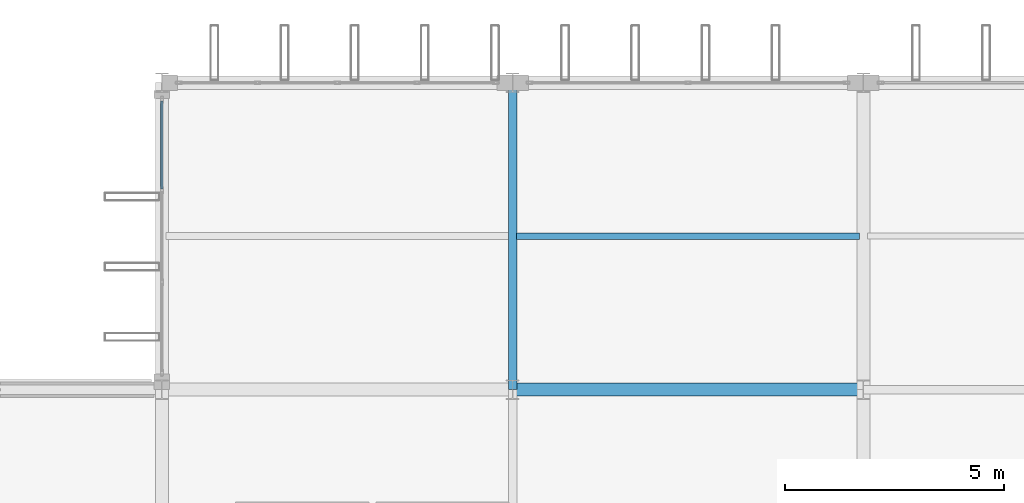
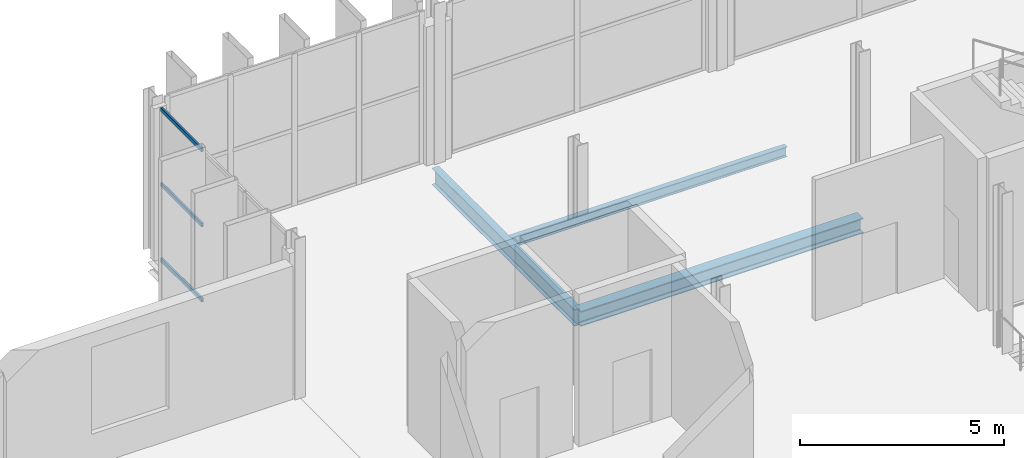
# One storey, part 39 of 120: 3 beams, 3 members, 1 element without a shape of its own.
"""IFC4 building model written with IfcOpenShell, lengths in metres."""

from ifc_helpers import new_model, si_unit, direction, frame, origin, origin_2d, place, context, subcontext, project, spatial, hollow_rectangle, i_section, extrude, material, layer, layer_set, material_profile, profile_set, type_object, element, aggregate, save


model = new_model("IFC4")

# Units and contexts
model_context = context("Model", 3, precision=1e-05, world=origin(), true_north=direction((0.0, 1.0)))
body_context = subcontext(model_context, "Body", "Model", "MODEL_VIEW")
ifc_project = project(units=[si_unit("LENGTHUNIT", "METRE"), si_unit("AREAUNIT", "SQUARE_METRE"), si_unit("VOLUMEUNIT", "CUBIC_METRE"), si_unit("PLANEANGLEUNIT", "RADIAN"), si_unit("MASSUNIT", "GRAM", prefix="KILO")], contexts=[model_context])

# Site, building, storey
site_placement = place(None, origin())
site = spatial("IfcSite", under=ifc_project, at=site_placement, CompositionType="ELEMENT")
building_placement = place(site_placement, origin())
building = spatial("IfcBuilding", under=site, at=building_placement, Name="Vekula Escarpment Museum", CompositionType="ELEMENT")
storey_placement = place(building_placement, frame((0.0, 0.0, 13.199951171875)))
storey = spatial("IfcBuildingStorey", under=building, at=storey_placement, Name="L03", CompositionType="ELEMENT", Elevation=13.199951171875)

# Beams
ifc_material_1 = material(Name="Steel S355", Category="steel")
ifc_material_profile_1 = material_profile(ifc_material_1, i_section(OverallWidth=0.300048828125, OverallDepth=0.449951171875, WebThickness=0.013916015625, FlangeThickness=0.02587890625, FilletRadius=0.027099609375, at=origin_2d()), Name="HEB 450")
ifc_profile_set_1 = profile_set([ifc_material_profile_1], Name="Steel S355")
beam_type_1 = type_object("IfcBeamType", Name="BM-GIRD-HEB450", PredefinedType="BEAM", material=ifc_profile_set_1)
beam_1_placement = place(storey_placement, frame((78.0, 83.39990234375, -0.474853515625), z_axis=(1.0, 0.0, 0.0), x_axis=(0.0, 1.0, 0.0)))
element("IfcBeam", 1, at=beam_1_placement, inside=storey, type_object=beam_type_1, Name="Beam X L03 1407", PredefinedType="BEAM", context=body_context, shape_type="SweptSolid", body=[
    extrude(i_section(OverallWidth=0.300048828125, OverallDepth=0.449951171875, WebThickness=0.013916015625, FlangeThickness=0.02587890625, FilletRadius=0.027099609375, at=origin_2d()), origin(), (0.0, 0.0, 1.0), 8.0),
])
ifc_material_2 = material(Name="Steel S355", Category="steel")
ifc_material_profile_2 = material_profile(ifc_material_2, i_section(OverallWidth=0.199951171875, OverallDepth=0.5, WebThickness=0.01025390625, FlangeThickness=0.01611328125, FilletRadius=0.02099609375, at=origin_2d()), Name="IPE 500")
ifc_profile_set_2 = profile_set([ifc_material_profile_2], Name="Steel S355")
beam_type_2 = type_object("IfcBeamType", Name="BM-GIRD-IPE500", PredefinedType="BEAM", material=ifc_profile_set_2)
beam_2_placement = place(storey_placement, frame((78.0, 83.39990234375, -0.5), z_axis=(0.0, 1.0, 0.0), x_axis=(-1.0, 0.0, 0.0)))
element("IfcBeam", 2, at=beam_2_placement, inside=storey, type_object=beam_type_2, Name="Beam Y L03 1570", PredefinedType="BEAM", context=body_context, shape_type="SweptSolid", body=[
    extrude(i_section(OverallWidth=0.199951171875, OverallDepth=0.5, WebThickness=0.01025390625, FlangeThickness=0.01611328125, FilletRadius=0.02099609375, at=origin_2d()), origin(), (0.0, 0.0, 1.0), 7.0),
])
ifc_material_3 = material(Name="Steel S355", Category="steel")
ifc_material_profile_3 = material_profile(ifc_material_3, i_section(OverallWidth=0.14990234375, OverallDepth=0.300048828125, WebThickness=0.007080078125, FlangeThickness=0.0107421875, FilletRadius=0.014892578125, at=origin_2d()), Name="IPE 300")
ifc_profile_set_3 = profile_set([ifc_material_profile_3], Name="Steel S355")
beam_type_3 = type_object("IfcBeamType", Name="BM-JST-IPE300", PredefinedType="JOIST", material=ifc_profile_set_3)
beam_3_placement = place(storey_placement, frame((78.090087890625, 86.89990234375, -0.39990234375), z_axis=(1.0, 0.0, 0.0), x_axis=(0.0, 1.0, 0.0)))
element("IfcBeam", 3, at=beam_3_placement, inside=storey, type_object=beam_type_3, Name="Secondary Joist L03 1009", PredefinedType="JOIST", context=body_context, shape_type="SweptSolid", body=[
    extrude(i_section(OverallWidth=0.14990234375, OverallDepth=0.300048828125, WebThickness=0.007080078125, FlangeThickness=0.0107421875, FilletRadius=0.014892578125, at=origin_2d()), origin(), (0.0, 0.0, 1.0), 7.81982421875),
])

# Curtain wall, members
ifc_material_4 = material(Name="Aluminium thermally broken framing", Category="aluminium")
ifc_layer = layer(ifc_material_4, 0.169921875)
ifc_layer_set = layer_set([ifc_layer], Name="Aluminium thermally broken framing")
curtain_wall_type = type_object("IfcCurtainWallType", Name="CW-SYS-10", PredefinedType="NOTDEFINED", material=ifc_layer_set)
curtain_wall_placement = place(storey_placement, origin())
curtain_wall = element("IfcCurtainWall", 4, at=curtain_wall_placement, inside=storey, type_object=curtain_wall_type, Name="Curtain Wall CW-L03-130", PredefinedType="NOTDEFINED")
ifc_material_5 = material(Name="Aluminium anodized transom", Category="aluminium")
ifc_material_profile_4 = material_profile(ifc_material_5, hollow_rectangle(XDim=0.06005859375, YDim=0.1201171875, WallThickness=0.00390625, InnerFilletRadius=0.00390625, OuterFilletRadius=0.008056640625, at=origin_2d()), Name="ALU 120x60x4")
ifc_profile_set_4 = profile_set([ifc_material_profile_4], Name="Aluminium anodized transom")
member_type = type_object("IfcMemberType", Name="CW-TRN-120", PredefinedType="USERDEFINED", material=ifc_profile_set_4)
member_1_placement = place(storey_placement, frame((70.0, 89.97998046875, 0.030029296875), z_axis=(0.0, -1.0, 0.0), x_axis=(1.0, 0.0, 0.0)))
member_1 = element("IfcMember", 5, at=member_1_placement, type_object=member_type, Name="CW-10 transom 1.1", ObjectType="TRANSOM", PredefinedType="USERDEFINED", context=body_context, shape_type="SweptSolid", body=[
    extrude(hollow_rectangle(XDim=0.06005859375, YDim=0.1201171875, WallThickness=0.00390625, InnerFilletRadius=0.00390625, OuterFilletRadius=0.008056640625, at=origin_2d()), origin(), (0.0, 0.0, 1.0), 2.00341796875),
])
member_2_placement = place(storey_placement, frame((70.0, 89.97998046875, 2.280029296875), z_axis=(0.0, -1.0, 0.0), x_axis=(1.0, 0.0, 0.0)))
member_2 = element("IfcMember", 6, at=member_2_placement, type_object=member_type, Name="CW-10 transom 1.2", ObjectType="TRANSOM", PredefinedType="USERDEFINED", context=body_context, shape_type="SweptSolid", body=[
    extrude(hollow_rectangle(XDim=0.06005859375, YDim=0.1201171875, WallThickness=0.00390625, InnerFilletRadius=0.00390625, OuterFilletRadius=0.008056640625, at=origin_2d()), origin(), (0.0, 0.0, 1.0), 2.00341796875),
])
member_3_placement = place(storey_placement, frame((70.0, 89.97998046875, 4.530029296875), z_axis=(0.0, -1.0, 0.0), x_axis=(1.0, 0.0, 0.0)))
member_3 = element("IfcMember", 7, at=member_3_placement, type_object=member_type, Name="CW-10 transom 1.3", ObjectType="TRANSOM", PredefinedType="USERDEFINED", context=body_context, shape_type="SweptSolid", body=[
    extrude(hollow_rectangle(XDim=0.06005859375, YDim=0.1201171875, WallThickness=0.00390625, InnerFilletRadius=0.00390625, OuterFilletRadius=0.008056640625, at=origin_2d()), origin(), (0.0, 0.0, 1.0), 2.00341796875),
])
aggregate(curtain_wall, [member_1, member_2, member_3])

save(model, "model.ifc")
